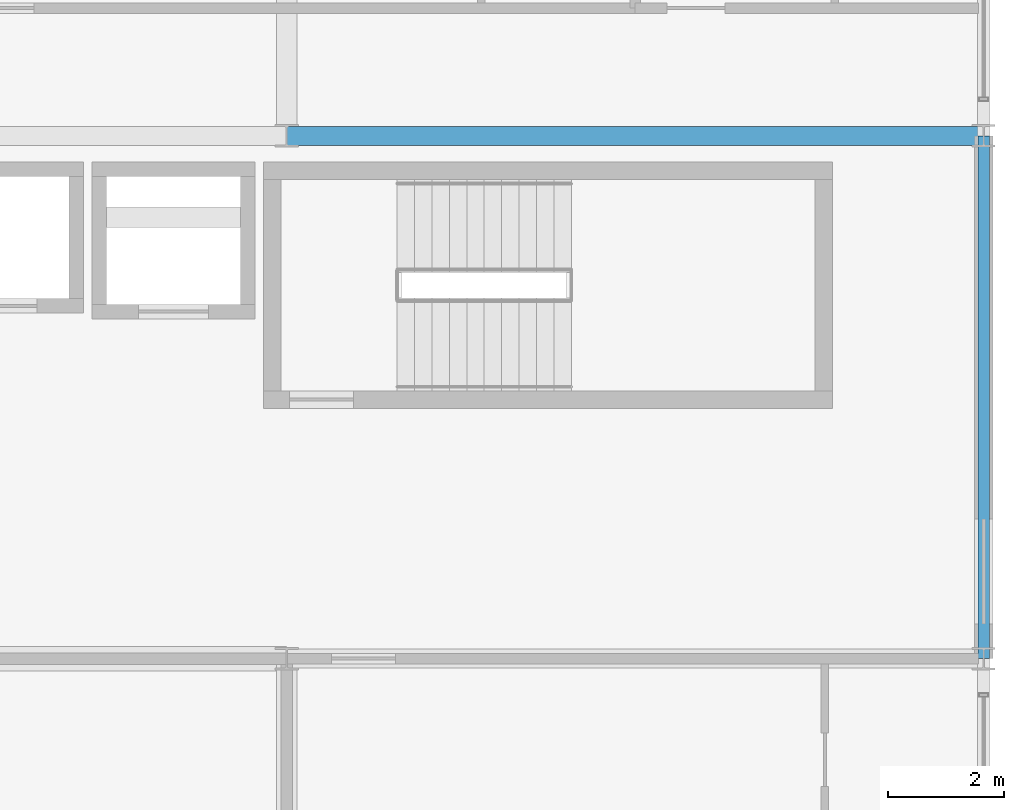
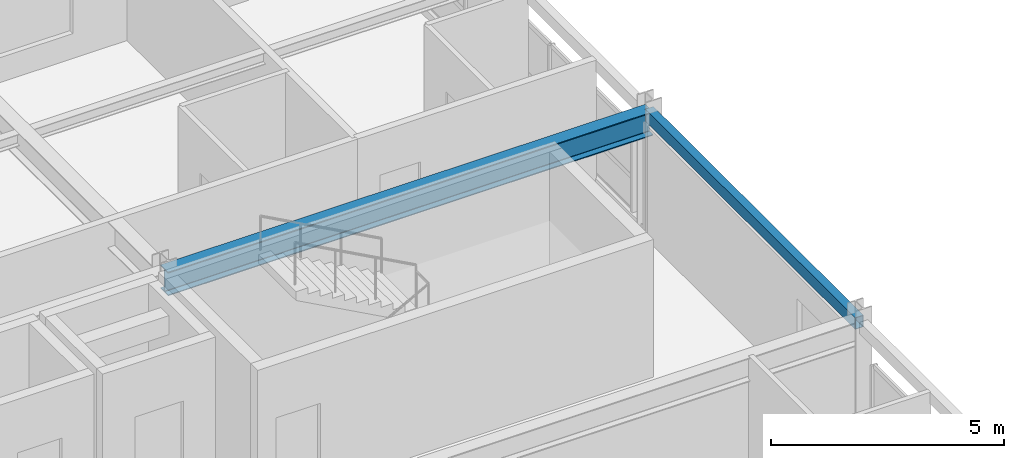
# One storey, part 12 of 22: 2 beams.
"""IFC4 building model written with IfcOpenShell, lengths in metres."""

from ifc_helpers import new_model, si_unit, direction, frame, origin, origin_2d, place, context, subcontext, project, spatial, hollow_rectangle, i_section, extrude, material, material_profile, profile_set, type_object, element, save


model = new_model("IFC4")

# Units and contexts
model_context = context("Model", 3, precision=1e-05, world=origin(), true_north=direction((0.0, 1.0)))
body_context = subcontext(model_context, "Body", "Model", "MODEL_VIEW")
ifc_project = project(units=[si_unit("LENGTHUNIT", "METRE"), si_unit("AREAUNIT", "SQUARE_METRE"), si_unit("VOLUMEUNIT", "CUBIC_METRE"), si_unit("PLANEANGLEUNIT", "RADIAN"), si_unit("MASSUNIT", "GRAM", prefix="KILO")], contexts=[model_context])

# Site, building, storey
site_placement = place(None, origin())
site = spatial("IfcSite", under=ifc_project, at=site_placement, CompositionType="ELEMENT")
building_placement = place(site_placement, origin())
building = spatial("IfcBuilding", under=site, at=building_placement, Name="Kaldorvane Square Convention Centre", CompositionType="ELEMENT")
storey_placement = place(building_placement, frame((0.0, 0.0, 63.600006103515625)))
storey = spatial("IfcBuildingStorey", under=building, at=storey_placement, Name="L15", CompositionType="ELEMENT", Elevation=63.600006103515625)

# Beams
ifc_material_1 = material(Name="Steel ASTM A992 Gr. 50", Category="steel")
ifc_material_profile_1 = material_profile(ifc_material_1, i_section(OverallWidth=0.326507568359375, OverallDepth=0.621795654296875, WebThickness=0.0153961181640625, FlangeThickness=0.0243988037109375, FilletRadius=0.0126953125, at=origin_2d()), Name="W24X131")
ifc_profile_set_1 = profile_set([ifc_material_profile_1], Name="Steel ASTM A992 Gr. 50")
beam_type_1 = type_object("IfcBeamType", Name="BM-GR-W24X131", PredefinedType="BEAM", material=ifc_profile_set_1)
beam_1_placement = place(storey_placement, frame((66.0, 105.0, 2.97509765625), z_axis=(1.0, 0.0, 0.0), x_axis=(0.0, 1.0, 0.0)))
element("IfcBeam", 1, at=beam_1_placement, inside=storey, type_object=beam_type_1, Name="Primary Girder (L15)", PredefinedType="BEAM", context=body_context, shape_type="SweptSolid", body=[
    extrude(i_section(OverallWidth=0.326507568359375, OverallDepth=0.621795654296875, WebThickness=0.0153961181640625, FlangeThickness=0.0243988037109375, FilletRadius=0.0126953125, at=origin_2d()), origin(), (0.0, 0.0, 1.0), 12.0),
])
ifc_material_2 = material(Name="Steel ASTM A500 Gr. C", Category="steel")
ifc_material_profile_2 = material_profile(ifc_material_2, hollow_rectangle(XDim=0.2032012939453125, YDim=0.3047943115234375, WallThickness=0.0088958740234375, at=origin_2d()), Name="HSS12X8X3/8")
ifc_profile_set_2 = profile_set([ifc_material_profile_2], Name="Steel ASTM A500 Gr. C")
beam_type_2 = type_object("IfcBeamType", Name="BM-SP-HSS12", PredefinedType="SPANDREL", material=ifc_profile_set_2)
beam_2_placement = place(storey_placement, frame((78.0, 96.0, 3.1335906982421875), z_axis=(0.0, 1.0, 0.0), x_axis=(-1.0, 0.0, 0.0)))
element("IfcBeam", 2, at=beam_2_placement, inside=storey, type_object=beam_type_2, Name="End Spandrel (L15)", PredefinedType="SPANDREL", context=body_context, shape_type="SweptSolid", body=[
    extrude(hollow_rectangle(XDim=0.2032012939453125, YDim=0.3047943115234375, WallThickness=0.0088958740234375, at=origin_2d()), origin(), (0.0, 0.0, 1.0), 9.0),
])

save(model, "model.ifc")
